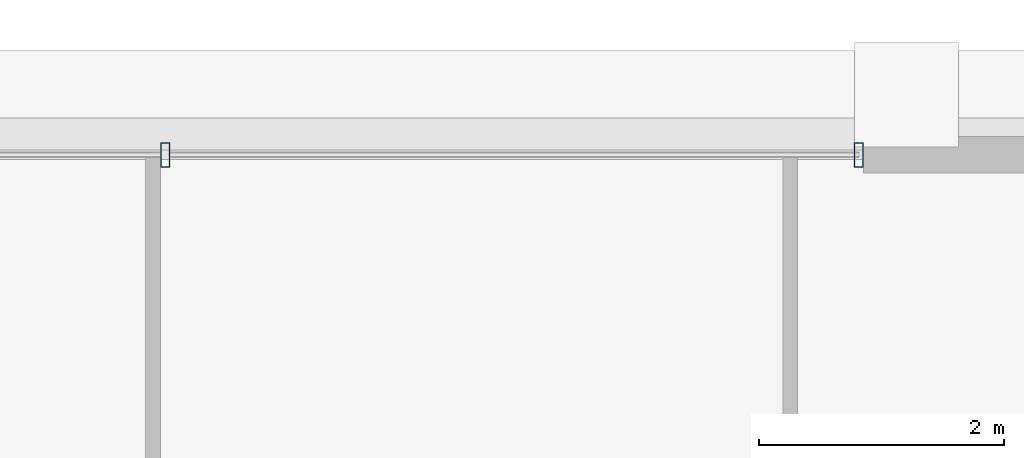
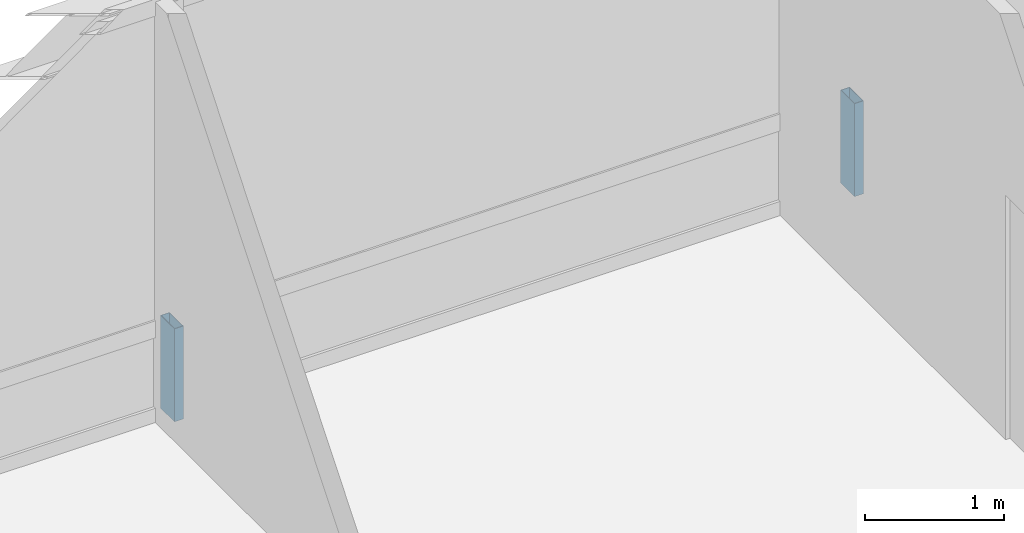
# One storey, part 28 of 34: 2 members, 1 element without a shape of its own.
"""IFC4 building model written with IfcOpenShell, lengths in metres."""

from ifc_helpers import new_model, si_unit, direction, frame, origin, origin_2d, place, context, subcontext, project, spatial, hollow_rectangle, extrude, source, transform, mapped, material, layer, layer_set, material_profile, profile_set, type_object, element, aggregate, save


model = new_model("IFC4")

# Units and contexts
model_context = context("Model", 3, precision=1e-05, world=origin(), true_north=direction((0.0, 1.0)))
body_context = subcontext(model_context, "Body", "Model", "MODEL_VIEW")
ifc_project = project(units=[si_unit("LENGTHUNIT", "METRE"), si_unit("AREAUNIT", "SQUARE_METRE"), si_unit("VOLUMEUNIT", "CUBIC_METRE"), si_unit("PLANEANGLEUNIT", "RADIAN"), si_unit("MASSUNIT", "GRAM", prefix="KILO"), si_unit("THERMODYNAMICTEMPERATUREUNIT", "KELVIN"), si_unit("POWERUNIT", "WATT")], contexts=[model_context])

# Site, building, storey
site_placement = place(None, origin())
site = spatial("IfcSite", under=ifc_project, at=site_placement, CompositionType="ELEMENT")
building_placement = place(site_placement, origin())
building = spatial("IfcBuilding", under=site, at=building_placement, Name="Yuzanri Waterfront Tower", CompositionType="ELEMENT")
storey_placement = place(building_placement, frame((0.0, 0.0, 347.199951171875)))
storey = spatial("IfcBuildingStorey", under=building, at=storey_placement, Name="L93", CompositionType="ELEMENT", Elevation=347.199951171875)

# Curtain wall, members
ifc_material_1 = material(Name="Anodized Architectural Bronze", Category="metal")
ifc_layer = layer(ifc_material_1, 0.159912109375)
ifc_layer_set = layer_set([ifc_layer], Name="Anodized Architectural Bronze")
curtain_wall_type = type_object("IfcCurtainWallType", Name="Anodized Bronze High-Rise Penthouse High-Wind Unitized Curtain Wall 6900", PredefinedType="NOTDEFINED", material=ifc_layer_set)
curtain_wall_placement = place(storey_placement, origin())
curtain_wall = element("IfcCurtainWall", 1, at=curtain_wall_placement, inside=storey, type_object=curtain_wall_type, Name="L93 Curtain Wall CW-L93-NR", PredefinedType="NOTDEFINED")
ifc_material_2 = material(Name="Anodized Architectural Bronze", Category="metal")
ifc_material_profile = material_profile(ifc_material_2, hollow_rectangle(XDim=0.074951171875, YDim=0.199951171875, WallThickness=0.00390625, at=origin_2d()), Name="CWM 75x200")
ifc_profile_set = profile_set([ifc_material_profile], Name="Anodized Architectural Bronze")
member_type = type_object("IfcMemberType", Name="Anodized Bronze Primary Curtain-Wall Mullion 75x200", PredefinedType="MULLION", material=ifc_profile_set)
shared_shape = source(origin(), body_context, "Body", "SweptSolid", [
    extrude(hollow_rectangle(XDim=0.074951171875, YDim=0.199951171875, WallThickness=0.00390625, at=origin_2d()), origin(), (0.0, 0.0, 1.0), 0.818115234375),
])
member_1_placement = place(storey_placement, frame((43.050048828125, 44.75, 0.0), z_axis=(0.0, 0.0, 1.0), x_axis=(1.0, 0.0, 0.0)))
member_1 = element("IfcMember", 2, at=member_1_placement, type_object=member_type, Name="CW-L93-NR Lower Mullion 01", PredefinedType="MULLION", context=body_context, shape_type="MappedRepresentation", body=[
    mapped(shared_shape, transform((0.0, 0.0, 0.0), scale=1.0)),
])
member_2_placement = place(storey_placement, frame((48.7099609375, 44.75, 0.0), z_axis=(0.0, 0.0, 1.0), x_axis=(1.0, 0.0, 0.0)))
member_2 = element("IfcMember", 3, at=member_2_placement, type_object=member_type, Name="CW-L93-NR Lower Mullion 02", PredefinedType="MULLION", context=body_context, shape_type="MappedRepresentation", body=[
    mapped(shared_shape, transform((0.0, 0.0, 0.0), scale=1.0)),
])
aggregate(curtain_wall, [member_1, member_2])

save(model, "model.ifc")
